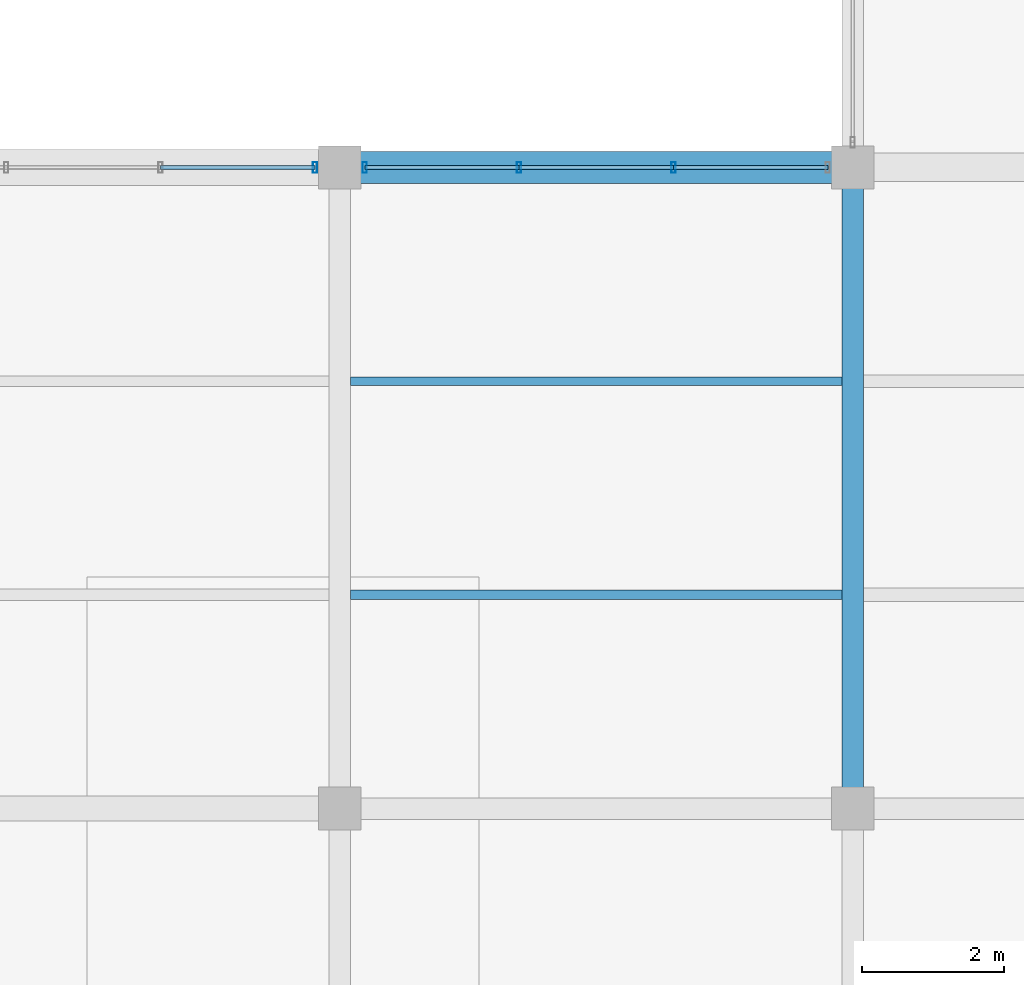
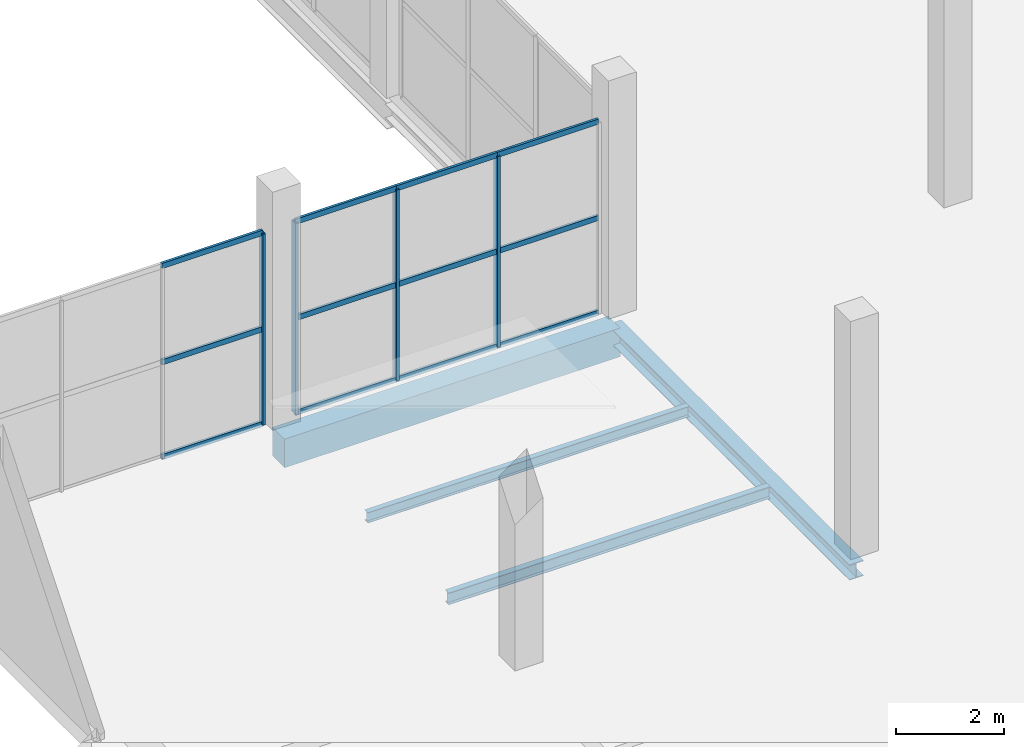
# One storey, part 90 of 141: 16 members, 4 beams, 2 elements without a shape of their own.
"""IFC4 building model written with IfcOpenShell, lengths in metres."""

import ifcopenshell
import ifcopenshell.guid

model = None  # the IFC model being written
_history = None  # IfcOwnerHistory: only IFC2X3 demands one
_inside = {}  # id of a spatial element -> (the spatial element, [elements in it])
_under = {}  # id of a project, library or spatial element -> (it, [spatial elements below it])
_declared = {}  # id of a project -> (the project, [libraries it declares])
_typed = {}  # id of a type object -> (the type object, [elements of that type])
_made_of = {}  # id of a material, layer set ... -> (it, [elements and type objects made of it])


def new_model(schema):
    """Start an empty IFC model of exactly this schema.

    Asked for "IFC4X3", IfcOpenShell would pick the latest addendum, in which some entities
    have other attributes; the version numbers below select the first issue.
    IFC2X3 requires an IfcOwnerHistory on every rooted entity: one is made here for all.
    """
    global model, _history
    if schema == "IFC4X3":
        model = ifcopenshell.file(schema_version=(4, 3, 0, 0))
    else:
        model = ifcopenshell.file(schema=schema)
    _inside.clear()
    _under.clear()
    _declared.clear()
    _typed.clear()
    _made_of.clear()
    _history = None
    if model.schema == "IFC2X3":
        org = make("IfcOrganization", Name="unknown")
        user = make(
            "IfcPersonAndOrganization",
            ThePerson=make("IfcPerson", FamilyName="unknown"),
            TheOrganization=org,
        )
        app = make(
            "IfcApplication",
            ApplicationDeveloper=org,
            Version="unknown",
            ApplicationFullName="unknown",
            ApplicationIdentifier="unknown",
        )
        _history = make(
            "IfcOwnerHistory",
            OwningUser=user,
            OwningApplication=app,
            ChangeAction="ADDED",
            CreationDate=0,
        )
    return model


def make(cls, **values):
    """One entity of the class cls with the attributes given. An attribute that is None is left unset."""
    return model.create_entity(
        cls, **{name: value for name, value in values.items() if value is not None}
    )


def rooted(cls, **values):
    """An entity with a GlobalId (a new one), such as an element, a storey or a relation."""
    return make(cls, GlobalId=ifcopenshell.guid.new(), OwnerHistory=_history, **values)


def si_unit(unit_type, name, prefix=None):
    """IfcSIUnit, for example si_unit("LENGTHUNIT", "METRE", prefix="MILLI")."""
    return make("IfcSIUnit", UnitType=unit_type, Prefix=prefix, Name=name)


def assignment(units):
    """IfcUnitAssignment: the units of a project."""
    return None if units is None else make("IfcUnitAssignment", Units=units)


def point(xyz):
    """IfcCartesianPoint."""
    return None if xyz is None else make("IfcCartesianPoint", Coordinates=xyz)


def direction(xyz):
    """IfcDirection."""
    return None if xyz is None else make("IfcDirection", DirectionRatios=xyz)


def frame(location, z_axis=None, x_axis=None):
    """IfcAxis2Placement3D, a coordinate frame: its origin and axes. An axis left out is left unset."""
    return make(
        "IfcAxis2Placement3D",
        Location=point(location),
        Axis=direction(z_axis),
        RefDirection=direction(x_axis),
    )


def frame_2d(location, x_axis=None):
    """IfcAxis2Placement2D, a coordinate frame in the plane: its origin and x axis."""
    return make(
        "IfcAxis2Placement2D", Location=point(location), RefDirection=direction(x_axis)
    )


def origin():
    """The frame at (0, 0, 0) with its axes left unset."""
    return frame((0.0, 0.0, 0.0))


def origin_2d():
    """The frame at (0, 0) in the plane with its x axis left unset."""
    return frame_2d((0.0, 0.0))


def place(relative_to, where):
    """IfcLocalPlacement: puts the frame where relative to a parent placement (None: the world)."""
    return make(
        "IfcLocalPlacement", PlacementRelTo=relative_to, RelativePlacement=where
    )


def context(
    kind, dimensions, precision=None, world=None, true_north=None, identifier=None
):
    """IfcGeometricRepresentationContext, for example the 3D "Model" context."""
    return make(
        "IfcGeometricRepresentationContext",
        ContextIdentifier=identifier,
        ContextType=kind,
        CoordinateSpaceDimension=dimensions,
        Precision=precision,
        WorldCoordinateSystem=world,
        TrueNorth=true_north,
    )


def subcontext(parent, identifier, kind, view, scale=None):
    """IfcGeometricRepresentationSubContext, for example "Body" below "Model"."""
    return make(
        "IfcGeometricRepresentationSubContext",
        ContextIdentifier=identifier,
        ContextType=kind,
        ParentContext=parent,
        TargetScale=scale,
        TargetView=view,
    )


def project(units=None, contexts=None):
    """IfcProject with its units and contexts."""
    return rooted(
        "IfcProject",
        Name="project",
        RepresentationContexts=contexts,
        UnitsInContext=assignment(units),
    )


def spatial(cls, under=None, at=None, **own):
    """A site, building, storey or space (cls), placed at a placement, below another one or the project."""
    s = rooted(cls, ObjectPlacement=at, **own)
    if under is not None:
        _under.setdefault(under.id(), (under, []))[1].append(s)
    return s


def profile(cls, at=None, kind="AREA", **sizes):
    """A parametric profile (cls). Its sizes go by their IFC names, for example OverallWidth=200.0."""
    return make(cls, ProfileType=kind, Position=at, **sizes)


def rectangle(**sizes):
    """IfcRectangleProfileDef."""
    return profile("IfcRectangleProfileDef", **sizes)


def hollow_rectangle(**sizes):
    """IfcRectangleHollowProfileDef."""
    return profile("IfcRectangleHollowProfileDef", **sizes)


def i_section(**sizes):
    """IfcIShapeProfileDef."""
    return profile("IfcIShapeProfileDef", **sizes)


def extrude(swept, where, along, depth):
    """IfcExtrudedAreaSolid: the profile swept, set in the frame where, extruded along a direction by depth."""
    return make(
        "IfcExtrudedAreaSolid",
        SweptArea=swept,
        Position=where,
        ExtrudedDirection=direction(along),
        Depth=depth,
    )


def shape(context_of_items, identifier, shape_type, items):
    """IfcShapeRepresentation: the items that make up one representation, for example the "Body"."""
    return make(
        "IfcShapeRepresentation",
        ContextOfItems=context_of_items,
        RepresentationIdentifier=identifier,
        RepresentationType=shape_type,
        Items=items,
    )


def material(Name=None, Category=None):
    """IfcMaterial."""
    return make("IfcMaterial", Name=Name, Category=Category)


def layer(
    of_material, thickness, ventilated=None, Name=None, Category=None, Priority=None
):
    """IfcMaterialLayer: one layer of a wall or slab, of a material (None: an air gap)."""
    return make(
        "IfcMaterialLayer",
        Material=of_material,
        LayerThickness=thickness,
        IsVentilated=ventilated,
        Name=Name,
        Category=Category,
        Priority=Priority,
    )


def layer_set(layers, Name=None):
    """IfcMaterialLayerSet."""
    return make("IfcMaterialLayerSet", MaterialLayers=layers, LayerSetName=Name)


def material_profile(
    of_material, cross_section, Name=None, Category=None, Priority=None
):
    """IfcMaterialProfile: a cross section and its material."""
    return make(
        "IfcMaterialProfile",
        Name=Name,
        Material=of_material,
        Profile=cross_section,
        Priority=Priority,
        Category=Category,
    )


def profile_set(profiles, Name=None, composite=None):
    """IfcMaterialProfileSet."""
    return make(
        "IfcMaterialProfileSet",
        Name=Name,
        MaterialProfiles=profiles,
        CompositeProfile=composite,
    )


def made_of(thing, what):
    """Note that an element or type object is made of a material, layer set ...; save() writes the relation."""
    if what is not None:
        _made_of.setdefault(what.id(), (what, []))[1].append(thing)
    return thing


def type_object(cls, material=None, **own):
    """A type object (cls), such as IfcWallType, which elements share."""
    return made_of(rooted(cls, **own), material)


def element(
    cls,
    number,
    at=None,
    inside=None,
    cuts=None,
    type_object=None,
    material=None,
    context=None,
    identifier="Body",
    shape_type=None,
    held_by="IfcProductDefinitionShape",
    body=None,
    shapes=None,
    **own,
):
    """One element of the class cls, such as IfcWall. Its Tag is "e" and its number.

    at: its placement. inside: the storey or other place that contains it. cuts: it is an
    opening in that element (IfcRelVoidsElement). A single representation is given by context,
    identifier, shape_type and body (its items); several are given by shapes. held_by: the class
    of the entity that holds the representations. save() writes the other relations.
    """
    e = rooted(cls, Tag="e%d" % number, ObjectPlacement=at, **own)
    if body is not None:
        shapes = [shape(context, identifier, shape_type, body)]
    if shapes is not None:
        e.Representation = make(held_by, Representations=shapes)
    if inside is not None:
        _inside.setdefault(inside.id(), (inside, []))[1].append(e)
    if cuts is not None:
        rooted(
            "IfcRelVoidsElement", RelatingBuildingElement=cuts, RelatedOpeningElement=e
        )
    if type_object is not None:
        _typed.setdefault(type_object.id(), (type_object, []))[1].append(e)
    return made_of(e, material)


def aggregate(whole, parts):
    """IfcRelAggregates: a whole, such as a stair, and the parts it consists of."""
    return rooted("IfcRelAggregates", RelatingObject=whole, RelatedObjects=parts)


def save(model, path):
    """Write the relations noted so far, then the file.

    IfcRelAggregates (storeys below a building ...), IfcRelContainedInSpatialStructure (elements
    in a storey), IfcRelDefinesByType, IfcRelAssociatesMaterial and IfcRelDeclares: one each for
    every whole, place, type object, material and project.
    """
    for whole, parts in _under.values():
        aggregate(whole, parts)
    for where, things in _inside.values():
        rooted(
            "IfcRelContainedInSpatialStructure",
            RelatedElements=things,
            RelatingStructure=where,
        )
    for kind, things in _typed.values():
        rooted("IfcRelDefinesByType", RelatedObjects=things, RelatingType=kind)
    for what, things in _made_of.values():
        rooted("IfcRelAssociatesMaterial", RelatedObjects=things, RelatingMaterial=what)
    for by, libraries in _declared.values():
        rooted("IfcRelDeclares", RelatingContext=by, RelatedDefinitions=libraries)
    model.write(path)


model = new_model("IFC4")

# Units and contexts
model_context = context("Model", 3, precision=1e-05, world=origin(), true_north=direction((0.0, 1.0)))
body_context = subcontext(model_context, "Body", "Model", "MODEL_VIEW")
ifc_project = project(units=[si_unit("LENGTHUNIT", "METRE"), si_unit("AREAUNIT", "SQUARE_METRE"), si_unit("VOLUMEUNIT", "CUBIC_METRE"), si_unit("PLANEANGLEUNIT", "RADIAN"), si_unit("MASSUNIT", "GRAM", prefix="KILO")], contexts=[model_context])

# Site, building, storey
site_placement = place(None, origin())
site = spatial("IfcSite", under=ifc_project, at=site_placement, CompositionType="ELEMENT")
building_placement = place(site_placement, origin())
building = spatial("IfcBuilding", under=site, at=building_placement, Name="Sundgate Opera House", CompositionType="ELEMENT")
storey_placement = place(building_placement, frame((0.0, 0.0, 11.39990234375)))
storey = spatial("IfcBuildingStorey", under=building, at=storey_placement, Name="L02", CompositionType="ELEMENT", Elevation=11.39990234375)

# Beams
ifc_material_1 = material(Name="Steel S355J2", Category="steel")
ifc_material_profile_1 = material_profile(ifc_material_1, i_section(OverallWidth=0.300048828125, OverallDepth=0.35009765625, WebThickness=0.010009765625, FlangeThickness=0.017578125, at=origin_2d()), Name="HEA 360")
ifc_profile_set_1 = profile_set([ifc_material_profile_1], Name="Steel S355J2")
beam_type_1 = type_object("IfcBeamType", Name="BM-GR-HEA360", PredefinedType="BEAM", material=ifc_profile_set_1)
beam_1_placement = place(storey_placement, frame((153.0, 78.0, -0.52490234375), z_axis=(0.0, 1.0, 0.0), x_axis=(-1.0, 0.0, 0.0)))
element("IfcBeam", 1, at=beam_1_placement, inside=storey, type_object=beam_type_1, Name="L02 Primary N-S Girder B1935", PredefinedType="BEAM", context=body_context, shape_type="SweptSolid", body=[
    extrude(i_section(OverallWidth=0.300048828125, OverallDepth=0.35009765625, WebThickness=0.010009765625, FlangeThickness=0.017578125, at=origin_2d()), origin(), (0.0, 0.0, 1.0), 9.0),
])
ifc_material_2 = material(Name="Steel S355J2", Category="steel")
ifc_material_profile_2 = material_profile(ifc_material_2, i_section(OverallWidth=0.1201171875, OverallDepth=0.239990234375, WebThickness=0.006103515625, FlangeThickness=0.009765625, at=origin_2d()), Name="IPE 240")
ifc_profile_set_2 = profile_set([ifc_material_profile_2], Name="Steel S355J2")
beam_type_2 = type_object("IfcBeamType", Name="BM-JS-IPE240", PredefinedType="JOIST", material=ifc_profile_set_2)
beam_2_placement = place(storey_placement, frame((145.949951171875, 84.0, -0.469970703125), z_axis=(1.0, 0.0, 0.0), x_axis=(0.0, 1.0, 0.0)))
element("IfcBeam", 2, at=beam_2_placement, inside=storey, type_object=beam_type_2, Name="L02 Secondary Floor Joist B2331", PredefinedType="JOIST", context=body_context, shape_type="SweptSolid", body=[
    extrude(i_section(OverallWidth=0.1201171875, OverallDepth=0.239990234375, WebThickness=0.006103515625, FlangeThickness=0.009765625, at=origin_2d()), origin(), (0.0, 0.0, 1.0), 6.900146484375),
])
ifc_material_3 = material(Name="Steel S355J2", Category="steel")
ifc_material_profile_3 = material_profile(ifc_material_3, i_section(OverallWidth=0.135009765625, OverallDepth=0.27001953125, WebThickness=0.006591796875, FlangeThickness=0.01025390625, at=origin_2d()), Name="IPE 270")
ifc_profile_set_3 = profile_set([ifc_material_profile_3], Name="Steel S355J2")
beam_type_3 = type_object("IfcBeamType", Name="BM-JS-IPE270", PredefinedType="JOIST", material=ifc_profile_set_3)
beam_3_placement = place(storey_placement, frame((145.949951171875, 81.0, -0.48486328125), z_axis=(1.0, 0.0, 0.0), x_axis=(0.0, 1.0, 0.0)))
element("IfcBeam", 3, at=beam_3_placement, inside=storey, type_object=beam_type_3, Name="L02 Secondary Floor Joist B2330", PredefinedType="JOIST", context=body_context, shape_type="SweptSolid", body=[
    extrude(i_section(OverallWidth=0.135009765625, OverallDepth=0.27001953125, WebThickness=0.006591796875, FlangeThickness=0.01025390625, at=origin_2d()), origin(), (0.0, 0.0, 1.0), 6.900146484375),
])
ifc_material_4 = material(Name="Concrete C35/45", Category="concrete")
ifc_material_profile_4 = material_profile(ifc_material_4, rectangle(XDim=0.449951171875, YDim=0.64990234375, at=origin_2d()), Name="RC 450x650")
ifc_profile_set_4 = profile_set([ifc_material_profile_4], Name="Concrete C35/45")
beam_type_4 = type_object("IfcBeamType", Name="BM-RC-450x650", PredefinedType="BEAM", material=ifc_profile_set_4)
beam_4_placement = place(storey_placement, frame((145.800048828125, 87.0, -0.6748046875), z_axis=(1.0, 0.0, 0.0), x_axis=(0.0, 1.0, 0.0)))
element("IfcBeam", 4, at=beam_4_placement, inside=storey, type_object=beam_type_4, Name="L02 Primary E-W Girder B2066", PredefinedType="BEAM", context=body_context, shape_type="SweptSolid", body=[
    extrude(rectangle(XDim=0.449951171875, YDim=0.64990234375, at=origin_2d()), origin(), (0.0, 0.0, 1.0), 7.199951171875),
])

# Curtain wall, member
ifc_material_5 = material(Name="Anodized aluminium and low-iron glass", Category="aluminium")
ifc_layer = layer(ifc_material_5, 0.159912109375)
ifc_layer_set = layer_set([ifc_layer], Name="Anodized aluminium and low-iron glass")
curtain_wall_type = type_object("IfcCurtainWallType", Name="CW-STUDIO-DARK", PredefinedType="NOTDEFINED", material=ifc_layer_set)
curtain_wall_1_placement = place(storey_placement, origin())
curtain_wall_1 = element("IfcCurtainWall", 5, at=curtain_wall_1_placement, inside=storey, type_object=curtain_wall_type, Name="L02 Curtain Wall CW112", PredefinedType="NOTDEFINED")
ifc_material_6 = material(Name="Anodized aluminium EN AW-6063", Category="aluminium")
ifc_material_profile_5 = material_profile(ifc_material_6, hollow_rectangle(XDim=0.06005859375, YDim=0.14990234375, WallThickness=0.00390625, at=origin_2d()), Name="CWM 150x60x4")
ifc_profile_set_5 = profile_set([ifc_material_profile_5], Name="Anodized aluminium EN AW-6063")
member_type_1 = type_object("IfcMemberType", Name="CWM-ALU-150x60", PredefinedType="MULLION", material=ifc_profile_set_5)
member_1_placement = place(storey_placement, frame((145.449951171875, 87.0, 0.0), z_axis=(0.0, 0.0, 1.0), x_axis=(1.0, 0.0, 0.0)))
member_1 = element("IfcMember", 6, at=member_1_placement, type_object=member_type_1, Name="CW112 Mullion 4", PredefinedType="MULLION", context=body_context, shape_type="SweptSolid", body=[
    extrude(hollow_rectangle(XDim=0.06005859375, YDim=0.14990234375, WallThickness=0.00390625, at=origin_2d()), origin(), (0.0, 0.0, 1.0), 4.335205078125),
])

# Curtain wall, members
curtain_wall_2_placement = place(storey_placement, origin())
curtain_wall_2 = element("IfcCurtainWall", 7, at=curtain_wall_2_placement, inside=storey, type_object=curtain_wall_type, Name="L02 Curtain Wall CW114", PredefinedType="NOTDEFINED")
member_2_placement = place(storey_placement, frame((146.14990234375, 87.0, 0.0), z_axis=(0.0, 0.0, 1.0), x_axis=(1.0, 0.0, 0.0)))
member_2 = element("IfcMember", 8, at=member_2_placement, type_object=member_type_1, Name="CW114 Mullion 1", PredefinedType="MULLION", context=body_context, shape_type="SweptSolid", body=[
    extrude(hollow_rectangle(XDim=0.06005859375, YDim=0.14990234375, WallThickness=0.00390625, at=origin_2d()), origin(), (0.0, 0.0, 1.0), 4.335205078125),
])
member_3_placement = place(storey_placement, frame((148.316650390625, 87.0, 0.0), z_axis=(0.0, 0.0, 1.0), x_axis=(1.0, 0.0, 0.0)))
member_3 = element("IfcMember", 9, at=member_3_placement, type_object=member_type_1, Name="CW114 Mullion 2", PredefinedType="MULLION", context=body_context, shape_type="SweptSolid", body=[
    extrude(hollow_rectangle(XDim=0.06005859375, YDim=0.14990234375, WallThickness=0.00390625, at=origin_2d()), origin(), (0.0, 0.0, 1.0), 4.335205078125),
])
member_4_placement = place(storey_placement, frame((150.4833984375, 87.0, 0.0), z_axis=(0.0, 0.0, 1.0), x_axis=(1.0, 0.0, 0.0)))
member_4 = element("IfcMember", 10, at=member_4_placement, type_object=member_type_1, Name="CW114 Mullion 3", PredefinedType="MULLION", context=body_context, shape_type="SweptSolid", body=[
    extrude(hollow_rectangle(XDim=0.06005859375, YDim=0.14990234375, WallThickness=0.00390625, at=origin_2d()), origin(), (0.0, 0.0, 1.0), 4.335205078125),
])

# Member
ifc_material_7 = material(Name="Anodized aluminium EN AW-6063", Category="aluminium")
ifc_material_profile_6 = material_profile(ifc_material_7, hollow_rectangle(XDim=0.054931640625, YDim=0.1201171875, WallThickness=0.00390625, at=origin_2d()), Name="CWT 120x55x4")
ifc_profile_set_6 = profile_set([ifc_material_profile_6], Name="Anodized aluminium EN AW-6063")
member_type_2 = type_object("IfcMemberType", Name="CWT-ALU-120x55", PredefinedType="USERDEFINED", material=ifc_profile_set_6)
member_5_placement = place(storey_placement, frame((143.283447265625, 87.0, 0.0), z_axis=(1.0, 0.0, 0.0), x_axis=(0.0, 1.0, 0.0)))
member_5 = element("IfcMember", 11, at=member_5_placement, type_object=member_type_2, Name="CW112 Transom 7", ObjectType="TRANSOM", PredefinedType="USERDEFINED", context=body_context, shape_type="SweptSolid", body=[
    extrude(hollow_rectangle(XDim=0.054931640625, YDim=0.1201171875, WallThickness=0.00390625, at=origin_2d()), origin(), (0.0, 0.0, 1.0), 2.16650390625),
])

member_6_placement = place(storey_placement, frame((143.283447265625, 87.0, 2.150146484375), z_axis=(1.0, 0.0, 0.0), x_axis=(0.0, 1.0, 0.0)))
member_6 = element("IfcMember", 12, at=member_6_placement, type_object=member_type_2, Name="CW112 Transom 8", ObjectType="TRANSOM", PredefinedType="USERDEFINED", context=body_context, shape_type="SweptSolid", body=[
    extrude(hollow_rectangle(XDim=0.054931640625, YDim=0.1201171875, WallThickness=0.00390625, at=origin_2d()), origin(), (0.0, 0.0, 1.0), 2.16650390625),
])

member_7_placement = place(storey_placement, frame((143.283447265625, 87.0, 4.335205078125), z_axis=(1.0, 0.0, 0.0), x_axis=(0.0, 1.0, 0.0)))
member_7 = element("IfcMember", 13, at=member_7_placement, type_object=member_type_2, Name="CW112 Transom 9", ObjectType="TRANSOM", PredefinedType="USERDEFINED", context=body_context, shape_type="SweptSolid", body=[
    extrude(hollow_rectangle(XDim=0.054931640625, YDim=0.1201171875, WallThickness=0.00390625, at=origin_2d()), origin(), (0.0, 0.0, 1.0), 2.16650390625),
])

aggregate(curtain_wall_1, [member_1, member_5, member_6, member_7])

member_8_placement = place(storey_placement, frame((146.14990234375, 87.0, 0.0), z_axis=(1.0, 0.0, 0.0), x_axis=(0.0, 1.0, 0.0)))
member_8 = element("IfcMember", 14, at=member_8_placement, type_object=member_type_2, Name="CW114 Transom 1", ObjectType="TRANSOM", PredefinedType="USERDEFINED", context=body_context, shape_type="SweptSolid", body=[
    extrude(hollow_rectangle(XDim=0.054931640625, YDim=0.1201171875, WallThickness=0.00390625, at=origin_2d()), origin(), (0.0, 0.0, 1.0), 2.166748046875),
])

member_9_placement = place(storey_placement, frame((146.14990234375, 87.0, 2.150146484375), z_axis=(1.0, 0.0, 0.0), x_axis=(0.0, 1.0, 0.0)))
member_9 = element("IfcMember", 15, at=member_9_placement, type_object=member_type_2, Name="CW114 Transom 2", ObjectType="TRANSOM", PredefinedType="USERDEFINED", context=body_context, shape_type="SweptSolid", body=[
    extrude(hollow_rectangle(XDim=0.054931640625, YDim=0.1201171875, WallThickness=0.00390625, at=origin_2d()), origin(), (0.0, 0.0, 1.0), 2.166748046875),
])

member_10_placement = place(storey_placement, frame((146.14990234375, 87.0, 4.335205078125), z_axis=(1.0, 0.0, 0.0), x_axis=(0.0, 1.0, 0.0)))
member_10 = element("IfcMember", 16, at=member_10_placement, type_object=member_type_2, Name="CW114 Transom 3", ObjectType="TRANSOM", PredefinedType="USERDEFINED", context=body_context, shape_type="SweptSolid", body=[
    extrude(hollow_rectangle(XDim=0.054931640625, YDim=0.1201171875, WallThickness=0.00390625, at=origin_2d()), origin(), (0.0, 0.0, 1.0), 2.166748046875),
])

member_11_placement = place(storey_placement, frame((148.316650390625, 87.0, 0.0), z_axis=(1.0, 0.0, 0.0), x_axis=(0.0, 1.0, 0.0)))
member_11 = element("IfcMember", 17, at=member_11_placement, type_object=member_type_2, Name="CW114 Transom 4", ObjectType="TRANSOM", PredefinedType="USERDEFINED", context=body_context, shape_type="SweptSolid", body=[
    extrude(hollow_rectangle(XDim=0.054931640625, YDim=0.1201171875, WallThickness=0.00390625, at=origin_2d()), origin(), (0.0, 0.0, 1.0), 2.166748046875),
])

member_12_placement = place(storey_placement, frame((148.316650390625, 87.0, 2.150146484375), z_axis=(1.0, 0.0, 0.0), x_axis=(0.0, 1.0, 0.0)))
member_12 = element("IfcMember", 18, at=member_12_placement, type_object=member_type_2, Name="CW114 Transom 5", ObjectType="TRANSOM", PredefinedType="USERDEFINED", context=body_context, shape_type="SweptSolid", body=[
    extrude(hollow_rectangle(XDim=0.054931640625, YDim=0.1201171875, WallThickness=0.00390625, at=origin_2d()), origin(), (0.0, 0.0, 1.0), 2.166748046875),
])

member_13_placement = place(storey_placement, frame((148.316650390625, 87.0, 4.335205078125), z_axis=(1.0, 0.0, 0.0), x_axis=(0.0, 1.0, 0.0)))
member_13 = element("IfcMember", 19, at=member_13_placement, type_object=member_type_2, Name="CW114 Transom 6", ObjectType="TRANSOM", PredefinedType="USERDEFINED", context=body_context, shape_type="SweptSolid", body=[
    extrude(hollow_rectangle(XDim=0.054931640625, YDim=0.1201171875, WallThickness=0.00390625, at=origin_2d()), origin(), (0.0, 0.0, 1.0), 2.166748046875),
])

member_14_placement = place(storey_placement, frame((150.4833984375, 87.0, 0.0), z_axis=(1.0, 0.0, 0.0), x_axis=(0.0, 1.0, 0.0)))
member_14 = element("IfcMember", 20, at=member_14_placement, type_object=member_type_2, Name="CW114 Transom 7", ObjectType="TRANSOM", PredefinedType="USERDEFINED", context=body_context, shape_type="SweptSolid", body=[
    extrude(hollow_rectangle(XDim=0.054931640625, YDim=0.1201171875, WallThickness=0.00390625, at=origin_2d()), origin(), (0.0, 0.0, 1.0), 2.16650390625),
])

member_15_placement = place(storey_placement, frame((150.4833984375, 87.0, 2.150146484375), z_axis=(1.0, 0.0, 0.0), x_axis=(0.0, 1.0, 0.0)))
member_15 = element("IfcMember", 21, at=member_15_placement, type_object=member_type_2, Name="CW114 Transom 8", ObjectType="TRANSOM", PredefinedType="USERDEFINED", context=body_context, shape_type="SweptSolid", body=[
    extrude(hollow_rectangle(XDim=0.054931640625, YDim=0.1201171875, WallThickness=0.00390625, at=origin_2d()), origin(), (0.0, 0.0, 1.0), 2.16650390625),
])

member_16_placement = place(storey_placement, frame((150.4833984375, 87.0, 4.335205078125), z_axis=(1.0, 0.0, 0.0), x_axis=(0.0, 1.0, 0.0)))
member_16 = element("IfcMember", 22, at=member_16_placement, type_object=member_type_2, Name="CW114 Transom 9", ObjectType="TRANSOM", PredefinedType="USERDEFINED", context=body_context, shape_type="SweptSolid", body=[
    extrude(hollow_rectangle(XDim=0.054931640625, YDim=0.1201171875, WallThickness=0.00390625, at=origin_2d()), origin(), (0.0, 0.0, 1.0), 2.16650390625),
])

aggregate(curtain_wall_2, [member_2, member_3, member_4, member_8, member_9, member_10, member_11, member_12, member_13, member_14, member_15, member_16])

save(model, "model.ifc")
